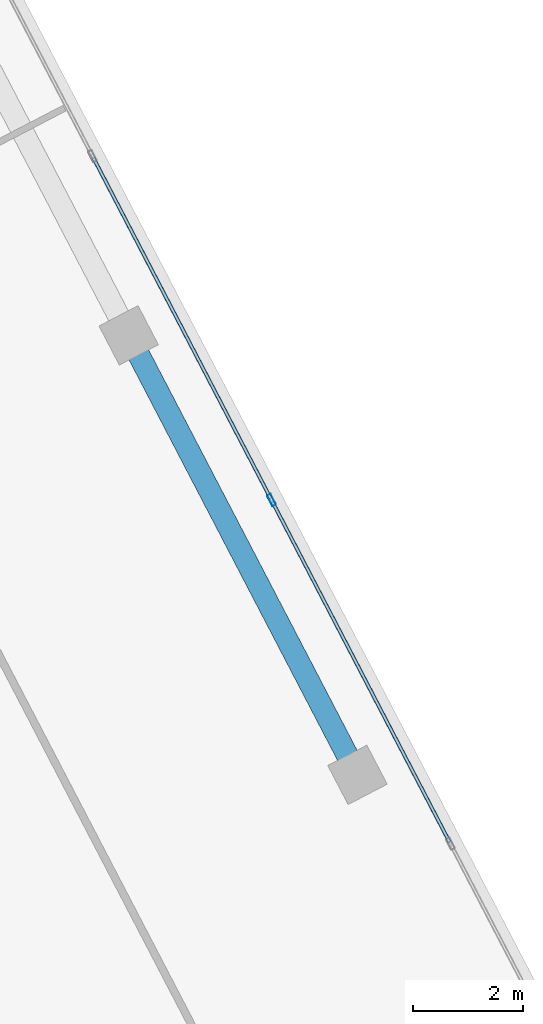
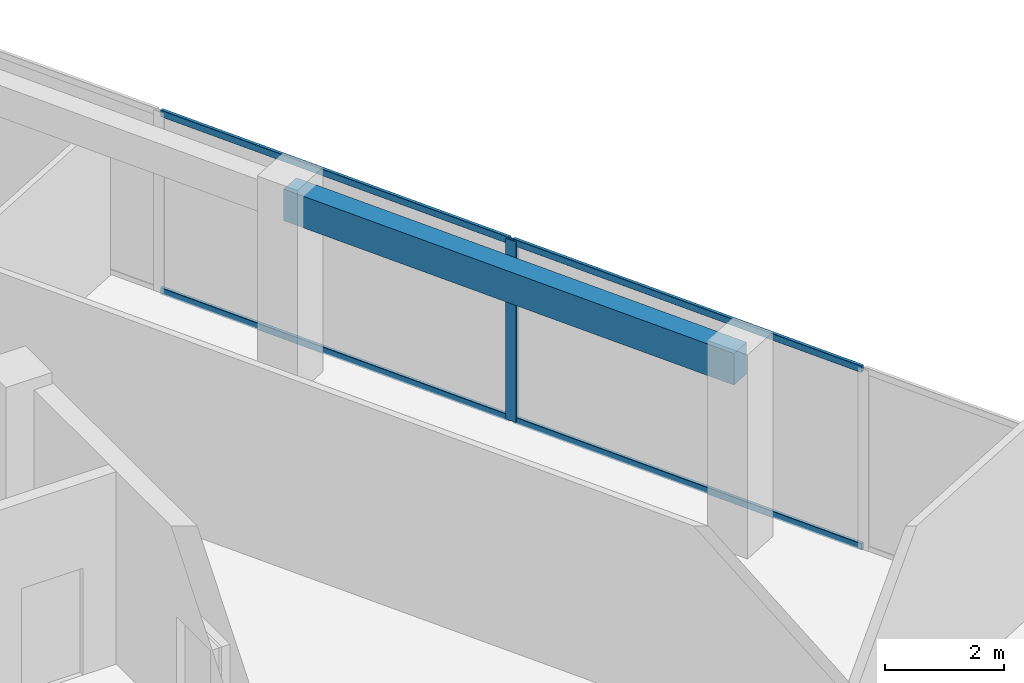
# One storey, part 7 of 17: 5 members, 1 beam, 1 element without a shape of its own.
"""IFC4 building model written with IfcOpenShell, lengths in metres."""

from ifc_helpers import new_model, si_unit, direction, frame, origin, origin_2d, place, context, subcontext, project, spatial, rectangle, hollow_rectangle, extrude, source, transform, mapped, material, material_profile, profile_set, type_object, element, aggregate, save


model = new_model("IFC4")

# Units and contexts
model_context = context("Model", 3, precision=1e-05, world=origin(), true_north=direction((0.0, 1.0)))
body_context = subcontext(model_context, "Body", "Model", "MODEL_VIEW")
ifc_project = project(units=[si_unit("LENGTHUNIT", "METRE"), si_unit("AREAUNIT", "SQUARE_METRE"), si_unit("VOLUMEUNIT", "CUBIC_METRE"), si_unit("PLANEANGLEUNIT", "RADIAN"), si_unit("MASSUNIT", "GRAM", prefix="KILO")], contexts=[model_context])

# Site, building, storey
site_placement = place(None, origin())
site = spatial("IfcSite", under=ifc_project, at=site_placement, CompositionType="ELEMENT")
building_placement = place(site_placement, origin())
building = spatial("IfcBuilding", under=site, at=building_placement, Name="Torre Montelarca", CompositionType="ELEMENT")
storey_placement = place(building_placement, frame((0.0, 0.0, 332.39990234375)))
storey = spatial("IfcBuildingStorey", under=building, at=storey_placement, Name="L75", CompositionType="ELEMENT", Elevation=332.39990234375)

# Beam
ifc_material_1 = material(Name="Concrete C40/50", Category="concrete")
ifc_material_profile_1 = material_profile(ifc_material_1, rectangle(XDim=0.39990234375, YDim=0.64990234375, at=origin_2d()), Name="RCB400X650", Category="concrete")
ifc_profile_set_1 = profile_set([ifc_material_profile_1], Name="Concrete C40/50")
beam_type = type_object("IfcBeamType", Name="BM-SP-RC650-EXT", PredefinedType="SPANDREL", material=ifc_profile_set_1)
shared_shape_1 = source(origin(), body_context, "Body", "SweptSolid", [
    extrude(rectangle(XDim=0.39990234375, YDim=0.64990234375, at=origin_2d()), origin(), (0.0, 0.0, 1.0), 9.0),
])
beam_placement = place(storey_placement, frame((33.322021484375, 42.10009765625, 3.635009765625), z_axis=(0.461748143991, -0.887011077451, 0.0), x_axis=(0.887011077451, 0.461748143991, 0.0)))
element("IfcBeam", 1, at=beam_placement, inside=storey, type_object=beam_type, Name="L75 Grid Girder X 18.0-27.0 at Y=47.1", PredefinedType="SPANDREL", context=body_context, shape_type="MappedRepresentation", body=[
    mapped(shared_shape_1, transform((0.0, 0.0, 0.0), scale=1.0)),
])

# Curtain wall, members
ifc_material_2 = material(Name="Insulated low-E laminated glass", Category="glass")
curtain_wall_type = type_object("IfcCurtainWallType", Name="CW-SYS-Z4", PredefinedType="USERDEFINED", material=ifc_material_2)
curtain_wall_placement = place(storey_placement, origin())
curtain_wall = element("IfcCurtainWall", 2, at=curtain_wall_placement, inside=storey, type_object=curtain_wall_type, Name="L75 Curtain Wall Run CW-T3-L75-E08-B1", ObjectType="UNITISED GLAZING", PredefinedType="USERDEFINED")
ifc_material_3 = material(Name="Anodised aluminium AA 6063-T6", Category="aluminium")
ifc_material_profile_2 = material_profile(ifc_material_3, hollow_rectangle(XDim=0.074951171875, YDim=0.219970703125, WallThickness=0.0048828125, InnerFilletRadius=0.0048828125, OuterFilletRadius=0.010009765625, at=origin_2d()), Name="ALU75X220X5", Category="aluminium")
ifc_profile_set_2 = profile_set([ifc_material_profile_2], Name="Anodised aluminium AA 6063-T6")
member_type_1 = type_object("IfcMemberType", Name="CWM-ALU220", PredefinedType="MULLION", material=ifc_profile_set_2)
shared_shape_2 = source(origin(), body_context, "Body", "SweptSolid", [
    extrude(hollow_rectangle(XDim=0.074951171875, YDim=0.219970703125, WallThickness=0.0048828125, InnerFilletRadius=0.0048828125, OuterFilletRadius=0.010009765625, at=origin_2d()), origin(), (0.0, 0.0, 1.0), 3.72021484375),
])
member_1_placement = place(storey_placement, frame((35.916015625, 39.10986328125, 0.0), z_axis=(0.0, 0.0, 1.0), x_axis=(-0.887012754742, -0.461744921926, 0.0)))
member_1 = element("IfcMember", 3, at=member_1_placement, type_object=member_type_1, Name="CW mullion 3", PredefinedType="MULLION", context=body_context, shape_type="MappedRepresentation", body=[
    mapped(shared_shape_2, transform((0.0, 0.0, 0.0), scale=1.0)),
])
ifc_material_profile_3 = material_profile(ifc_material_3, hollow_rectangle(XDim=0.06494140625, YDim=0.139892578125, WallThickness=0.00390625, InnerFilletRadius=0.00390625, OuterFilletRadius=0.008056640625, at=origin_2d()), Name="ALU65X140X4", Category="aluminium")
ifc_profile_set_3 = profile_set([ifc_material_profile_3], Name="Anodised aluminium AA 6063-T6")
member_type_2 = type_object("IfcMemberType", Name="CWT-ALU140", PredefinedType="USERDEFINED", material=ifc_profile_set_3)
shared_shape_3 = source(origin(), body_context, "Body", "SweptSolid", [
    extrude(hollow_rectangle(XDim=0.06494140625, YDim=0.139892578125, WallThickness=0.00390625, InnerFilletRadius=0.00390625, OuterFilletRadius=0.008056640625, at=origin_2d()), origin(), (0.0, 0.0, 1.0), 6.967041015625),
])
member_2_placement = place(storey_placement, frame((39.150146484375, 32.896728515625, 0.03271484375), z_axis=(-0.461745477076, 0.887012465752, 0.0), x_axis=(-0.887012465752, -0.461745477076, 0.0)))
member_2 = element("IfcMember", 4, at=member_2_placement, type_object=member_type_2, Name="CW transom 2.1", ObjectType="TRANSOM", PredefinedType="USERDEFINED", context=body_context, shape_type="MappedRepresentation", body=[
    mapped(shared_shape_3, transform((0.0, 0.0, 0.0), scale=1.0)),
])
member_3_placement = place(storey_placement, frame((39.150146484375, 32.896728515625, 3.6875), z_axis=(-0.461745477076, 0.887012465752, 0.0), x_axis=(-0.887012465752, -0.461745477076, 0.0)))
member_3 = element("IfcMember", 5, at=member_3_placement, type_object=member_type_2, Name="CW transom 2.2", ObjectType="TRANSOM", PredefinedType="USERDEFINED", context=body_context, shape_type="MappedRepresentation", body=[
    mapped(shared_shape_3, transform((0.0, 0.0, 0.0), scale=1.0)),
])
member_4_placement = place(storey_placement, frame((35.898681640625, 39.14306640625, 0.03271484375), z_axis=(-0.461745477076, 0.887012465752, 0.0), x_axis=(-0.887012465752, -0.461745477076, 0.0)))
member_4 = element("IfcMember", 6, at=member_4_placement, type_object=member_type_2, Name="CW transom 3.1", ObjectType="TRANSOM", PredefinedType="USERDEFINED", context=body_context, shape_type="MappedRepresentation", body=[
    mapped(shared_shape_3, transform((0.0, 0.0, 0.0), scale=1.0)),
])
member_5_placement = place(storey_placement, frame((35.898681640625, 39.14306640625, 3.6875), z_axis=(-0.461745477076, 0.887012465752, 0.0), x_axis=(-0.887012465752, -0.461745477076, 0.0)))
member_5 = element("IfcMember", 7, at=member_5_placement, type_object=member_type_2, Name="CW transom 3.2", ObjectType="TRANSOM", PredefinedType="USERDEFINED", context=body_context, shape_type="MappedRepresentation", body=[
    mapped(shared_shape_3, transform((0.0, 0.0, 0.0), scale=1.0)),
])
aggregate(curtain_wall, [member_1, member_2, member_3, member_4, member_5])

save(model, "model.ifc")
